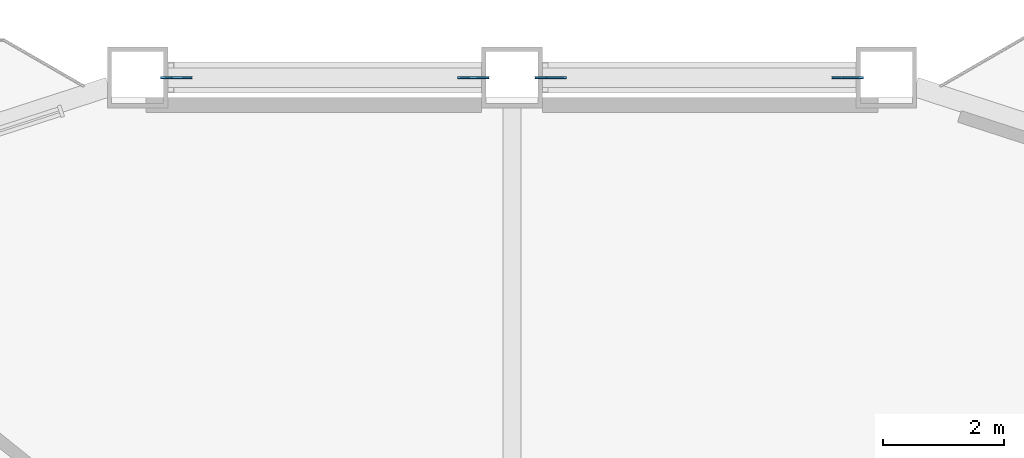
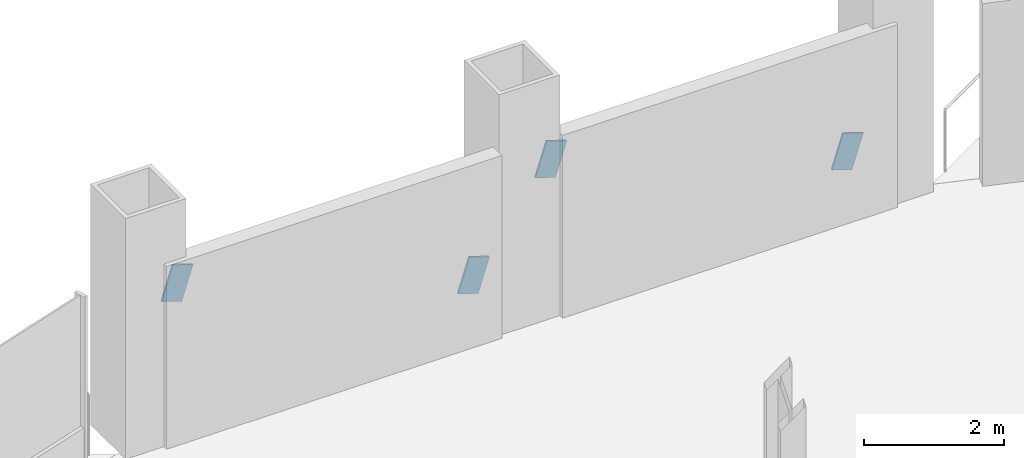
# One storey, part 16 of 21: 4 discrete accessories.
"""IFC4 building model written with IfcOpenShell, lengths in metres."""

from ifc_helpers import new_model, si_unit, direction, frame, origin, origin_2d, place, context, subcontext, project, spatial, rectangle, extrude, material, material_profile, profile_set, type_object, element, save


model = new_model("IFC4")

# Units and contexts
model_context = context("Model", 3, precision=1e-05, world=origin(), true_north=direction((0.0, 1.0)))
body_context = subcontext(model_context, "Body", "Model", "MODEL_VIEW")
ifc_project = project(units=[si_unit("LENGTHUNIT", "METRE"), si_unit("AREAUNIT", "SQUARE_METRE"), si_unit("VOLUMEUNIT", "CUBIC_METRE"), si_unit("PLANEANGLEUNIT", "RADIAN"), si_unit("MASSUNIT", "GRAM", prefix="KILO")], contexts=[model_context])

# Site, building, storey
site_placement = place(None, origin())
site = spatial("IfcSite", under=ifc_project, at=site_placement, CompositionType="ELEMENT")
building_placement = place(site_placement, origin())
building = spatial("IfcBuilding", under=site, at=building_placement, Name="Cormorant Prow Tower", CompositionType="ELEMENT")
storey_placement = place(building_placement, frame((0.0, 0.0, 42.60009765625)))
storey = spatial("IfcBuildingStorey", under=building, at=storey_placement, Name="L08", CompositionType="ELEMENT", Elevation=42.60009765625)

# Discrete accessories
ifc_material = material(Name="Structural steel ASTM A500 Gr C", Category="steel")
ifc_material_profile = material_profile(ifc_material, rectangle(XDim=0.031982421875, YDim=0.60791015625, at=origin_2d()), Name="Gusset plate 32x608")
ifc_profile_set = profile_set([ifc_material_profile], Name="Structural steel ASTM A500 Gr C")
discrete_accessory_type = type_object("IfcDiscreteAccessoryType", Name="Gusset plate 32x608", PredefinedType="BRACKET", material=ifc_profile_set)
for number, where, z_axis, x_axis, name in (
    (1, (5.365478515625, 32.233642578125, 0.859130859375), (0.951708617761, 0.0, -0.307002779923), (0.0, 1.0, 0.0), "Gusset plate GP1 L08.N00.g0"),
    (2, (0.80419921875, 32.233642578125, 2.32958984375), (-0.951708617761, 0.0, 0.307002779923), (0.0, -1.0, 0.0), "Gusset plate GP1 L08.N00.g1"),
    (3, (-0.80419921875, 32.233642578125, 0.859130859375), (0.951708617761, 0.0, -0.307002779923), (0.0, 1.0, 0.0), "Gusset plate GP1 L08.N01.g0"),
    (4, (-5.365478515625, 32.233642578125, 2.32958984375), (-0.951708617761, 0.0, 0.307002779923), (0.0, -1.0, 0.0), "Gusset plate GP1 L08.N01.g1"),
):
    element("IfcDiscreteAccessory", number, at=place(storey_placement, frame(where, z_axis=z_axis, x_axis=x_axis)), inside=storey, type_object=discrete_accessory_type, Name=name, PredefinedType="BRACKET", context=body_context, shape_type="SweptSolid", body=[
        extrude(rectangle(XDim=0.031982421875, YDim=0.60791015625, at=origin_2d()), origin(), (0.0, 0.0, 1.0), 0.349853515625),
    ])

save(model, "model.ifc")
